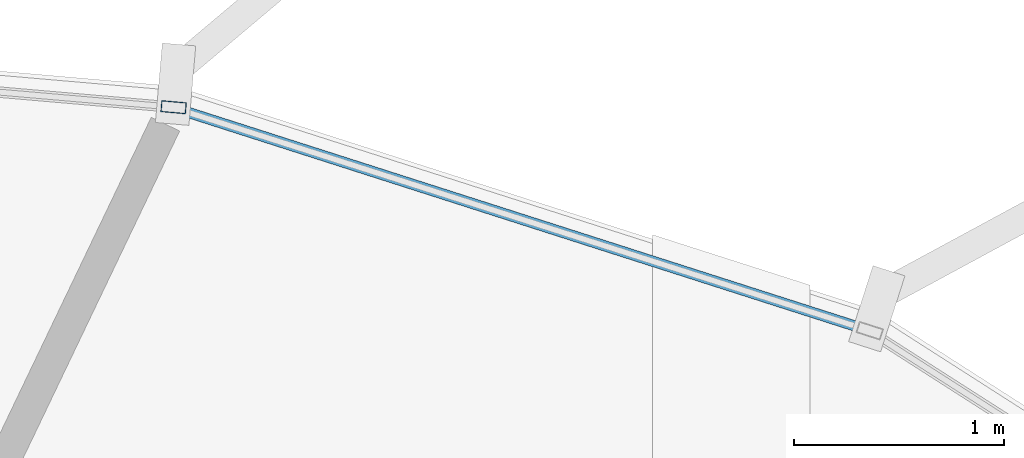
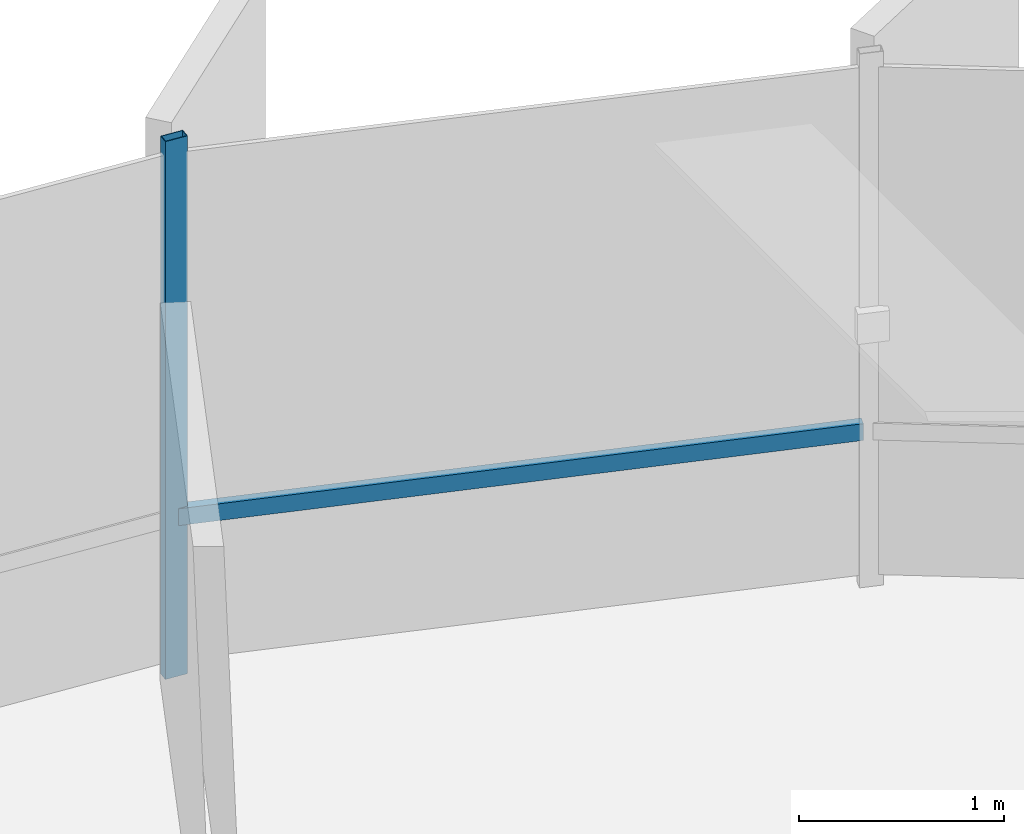
# One storey, part 25 of 33: 2 members, 1 element without a shape of its own.
"""IFC4 building model written with IfcOpenShell, lengths in metres."""

from ifc_helpers import new_model, si_unit, direction, frame, origin, origin_2d, place, context, subcontext, project, spatial, hollow_rectangle, extrude, source, transform, mapped, material, layer, layer_set, material_profile, profile_set, type_object, element, aggregate, save


model = new_model("IFC4")

# Units and contexts
model_context = context("Model", 3, precision=1e-05, world=origin(), true_north=direction((0.0, 1.0)))
body_context = subcontext(model_context, "Body", "Model", "MODEL_VIEW")
ifc_project = project(units=[si_unit("LENGTHUNIT", "METRE"), si_unit("AREAUNIT", "SQUARE_METRE"), si_unit("VOLUMEUNIT", "CUBIC_METRE"), si_unit("PLANEANGLEUNIT", "RADIAN"), si_unit("MASSUNIT", "GRAM", prefix="KILO"), si_unit("THERMODYNAMICTEMPERATUREUNIT", "KELVIN")], contexts=[model_context])

# Site, building, storey
site_placement = place(None, origin())
site = spatial("IfcSite", under=ifc_project, at=site_placement, CompositionType="ELEMENT")
building_placement = place(site_placement, origin())
building = spatial("IfcBuilding", under=site, at=building_placement, Name="Kethvar Cultural Tower", CompositionType="ELEMENT")
storey_placement = place(building_placement, frame((0.0, 0.0, 235.300048828125)))
storey = spatial("IfcBuildingStorey", under=building, at=storey_placement, Name="L61", CompositionType="ELEMENT", Elevation=235.300048828125)

# Curtain wall, members
ifc_material = material(Name="Aluminium 6063-T6", Category="aluminium")
ifc_layer = layer(ifc_material, 0.179931640625, Name="Aluminium 6063-T6", Category="aluminium")
ifc_layer_set = layer_set([ifc_layer], Name="Aluminium 6063-T6 (180 mm)")
curtain_wall_type = type_object("IfcCurtainWallType", Name="CW-SYS-05-Z56", PredefinedType="NOTDEFINED", material=ifc_layer_set)
curtain_wall_placement = place(storey_placement, origin())
curtain_wall = element("IfcCurtainWall", 1, at=curtain_wall_placement, inside=storey, type_object=curtain_wall_type, Name="L61 Curtain Wall Run 01", PredefinedType="NOTDEFINED")
ifc_material_profile_1 = material_profile(ifc_material, hollow_rectangle(XDim=0.054931640625, YDim=0.1201171875, WallThickness=0.00390625, at=origin_2d()), Name="Aluminium 6063-T6 — RHS120x55x4")
ifc_profile_set_1 = profile_set([ifc_material_profile_1], Name="Aluminium 6063-T6 — RHS120x55x4")
member_type_1 = type_object("IfcMemberType", Name="CW-SYS-05-Z56-MUL", PredefinedType="MULLION", material=ifc_profile_set_1)
shared_shape_1 = source(origin(), body_context, "Body", "SweptSolid", [
    extrude(hollow_rectangle(XDim=0.054931640625, YDim=0.1201171875, WallThickness=0.00390625, at=origin_2d()), origin(), (0.0, 0.0, 1.0), 3.2099609375),
])
member_1_placement = place(storey_placement, frame((57.6455078125, 50.517333984375, 0.0), z_axis=(0.0, 0.0, 1.0), x_axis=(-0.086199424478, -0.996277902605, 0.0)))
member_1 = element("IfcMember", 2, at=member_1_placement, type_object=member_type_1, Name="CW-L61-R01 Mullion 3", PredefinedType="MULLION", context=body_context, shape_type="MappedRepresentation", body=[
    mapped(shared_shape_1, transform((0.0, 0.0, 0.0), scale=1.0)),
])
ifc_material_profile_2 = material_profile(ifc_material, hollow_rectangle(XDim=0.050048828125, YDim=0.10009765625, WallThickness=0.00390625, at=origin_2d()), Name="Aluminium 6063-T6 — RHS100x50x4")
ifc_profile_set_2 = profile_set([ifc_material_profile_2], Name="Aluminium 6063-T6 — RHS100x50x4")
member_type_2 = type_object("IfcMemberType", Name="CW-SYS-05-Z56-TRN", PredefinedType="USERDEFINED", material=ifc_profile_set_2)
shared_shape_2 = source(origin(), body_context, "Body", "SweptSolid", [
    extrude(hollow_rectangle(XDim=0.050048828125, YDim=0.10009765625, WallThickness=0.00390625, at=origin_2d()), origin(), (0.0, 0.0, 1.0), 3.42529296875),
])
member_2_placement = place(storey_placement, frame((60.923095703125, 49.46484375, 0.949951171875), z_axis=(-0.952331412074, 0.305065372628, 0.0), x_axis=(-0.305065372628, -0.952331412074, 0.0)))
member_2 = element("IfcMember", 3, at=member_2_placement, type_object=member_type_2, Name="CW-L61-R01 Transom 2", ObjectType="TRANSOM", PredefinedType="USERDEFINED", context=body_context, shape_type="MappedRepresentation", body=[
    mapped(shared_shape_2, transform((0.0, 0.0, 0.0), scale=1.0)),
])
aggregate(curtain_wall, [member_1, member_2])

save(model, "model.ifc")
